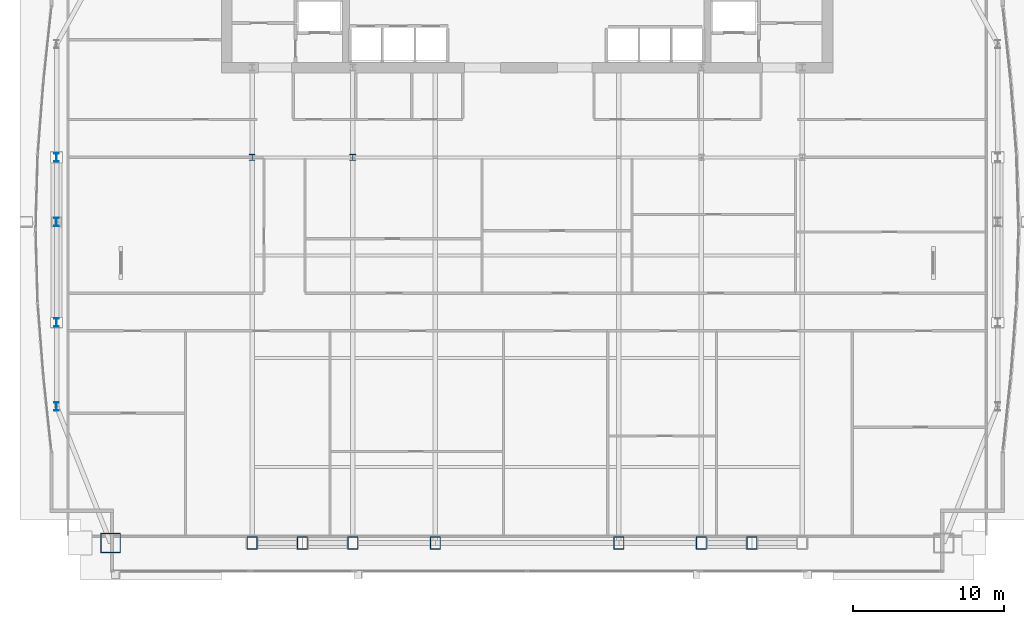
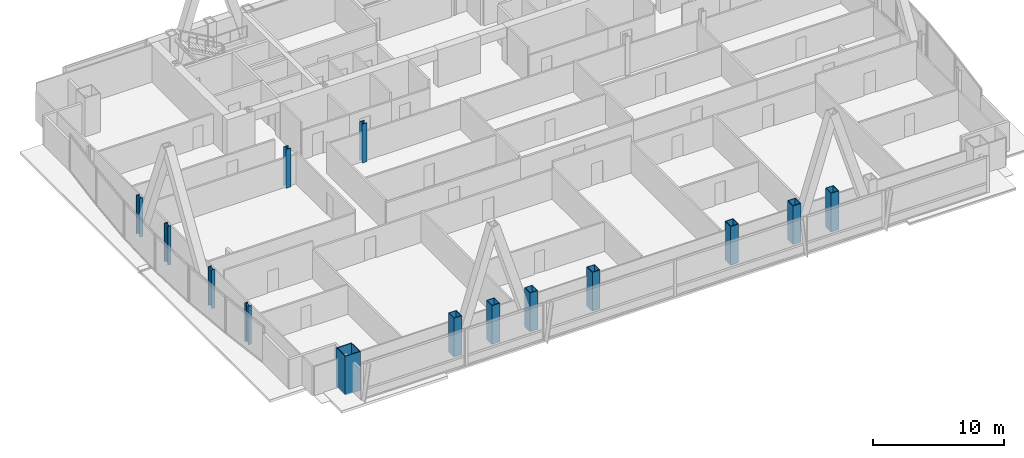
# One storey, part 1 of 30: 14 columns.
"""IFC4 building model written with IfcOpenShell, lengths in metres."""

from ifc_helpers import new_model, si_unit, direction, frame, origin, origin_2d, place, context, subcontext, project, spatial, hollow_rectangle, i_section, extrude, material, material_profile, profile_set, type_object, element, save


model = new_model("IFC4")

# Units and contexts
model_context = context("Model", 3, precision=1e-05, world=origin(), true_north=direction((0.0, 1.0)))
body_context = subcontext(model_context, "Body", "Model", "MODEL_VIEW")
ifc_project = project(units=[si_unit("LENGTHUNIT", "METRE"), si_unit("AREAUNIT", "SQUARE_METRE"), si_unit("VOLUMEUNIT", "CUBIC_METRE"), si_unit("PLANEANGLEUNIT", "RADIAN"), si_unit("MASSUNIT", "GRAM", prefix="KILO")], contexts=[model_context])

# Site, building, storey
site_placement = place(None, origin())
site = spatial("IfcSite", under=ifc_project, at=site_placement, CompositionType="ELEMENT")
building_placement = place(site_placement, origin())
building = spatial("IfcBuilding", under=site, at=building_placement, Name="Khoronbel Lancet Exchange", CompositionType="ELEMENT")
storey_placement = place(building_placement, frame((0.0, 0.0, 136.199951171875)))
storey = spatial("IfcBuildingStorey", under=building, at=storey_placement, Name="L33", CompositionType="ELEMENT", Elevation=136.199951171875)

# Columns
ifc_material_1 = material(Name="Steel S460", Category="steel")
ifc_material_profile_1 = material_profile(ifc_material_1, hollow_rectangle(XDim=0.699951171875, YDim=0.85009765625, WallThickness=0.050048828125, at=origin_2d()), Name="BOX 850x700x50")
ifc_profile_set_1 = profile_set([ifc_material_profile_1], Name="Steel S460")
column_type_1 = type_object("IfcColumnType", Name="COL-EC2", PredefinedType="COLUMN", material=ifc_profile_set_1)
for number, where, z_axis, x_axis, name in (
    (1, (18.22509765625, 10.14990234375, 0.0), (0.0, 0.0, 1.0), (1.0, 0.0, 0.0), "Structural column SC-W1 L33"),
    (2, (21.5625, 10.14990234375, 0.0), (0.0, 0.0, 1.0), (1.0, 0.0, 0.0), "Structural column SC-WM L33"),
    (3, (24.89990234375, 10.14990234375, 0.0), (0.0, 0.0, 1.0), (1.0, 0.0, 0.0), "Structural column SC-W2 L33"),
    (4, (30.375, 10.14990234375, 0.0), (0.0, 0.0, 1.0), (1.0, 0.0, 0.0), "Structural column SC-C1 L33"),
    (5, (42.52490234375, 10.14990234375, 0.0), (0.0, 0.0, 1.0), (1.0, 0.0, 0.0), "Structural column SC-C2 L33"),
    (6, (48.0, 10.14990234375, 0.0), (0.0, 0.0, 1.0), (1.0, 0.0, 0.0), "Structural column SC-E1 L33"),
    (7, (51.33740234375, 10.14990234375, 0.0), (0.0, 0.0, 1.0), (1.0, 0.0, 0.0), "Structural column SC-EM L33"),
):
    element("IfcColumn", number, at=place(storey_placement, frame(where, z_axis=z_axis, x_axis=x_axis)), inside=storey, type_object=column_type_1, Name=name, PredefinedType="COLUMN", context=body_context, shape_type="SweptSolid", body=[
        extrude(hollow_rectangle(XDim=0.699951171875, YDim=0.85009765625, WallThickness=0.050048828125, at=origin_2d()), origin(), (0.0, 0.0, 1.0), 3.60009765625),
    ])
ifc_material_profile_2 = material_profile(ifc_material_1, i_section(OverallWidth=0.416015625, OverallDepth=0.446044921875, WebThickness=0.0390625, FlangeThickness=0.062744140625, at=origin_2d()), Name="HD 400x509")
ifc_profile_set_2 = profile_set([ifc_material_profile_2], Name="Steel S460")
column_type_2 = type_object("IfcColumnType", Name="COL-IC2", PredefinedType="COLUMN", material=ifc_profile_set_2)
for number, where, z_axis, x_axis, name in (
    (8, (18.22509765625, 35.699951171875, 0.0), (0.0, 0.0, 1.0), (1.0, 0.0, 0.0), "Spine gravity column TC1 L33"),
    (9, (24.89990234375, 35.699951171875, 0.0), (0.0, 0.0, 1.0), (1.0, 0.0, 0.0), "Spine gravity column TC2 L33"),
):
    element("IfcColumn", number, at=place(storey_placement, frame(where, z_axis=z_axis, x_axis=x_axis)), inside=storey, type_object=column_type_2, Name=name, PredefinedType="COLUMN", context=body_context, shape_type="SweptSolid", body=[
        extrude(i_section(OverallWidth=0.416015625, OverallDepth=0.446044921875, WebThickness=0.0390625, FlangeThickness=0.062744140625, at=origin_2d()), origin(), (0.0, 0.0, 1.0), 3.60009765625),
    ])
ifc_material_2 = material(Name="Steel S355", Category="steel")
ifc_material_profile_3 = material_profile(ifc_material_2, i_section(OverallWidth=0.300048828125, OverallDepth=0.550048828125, WebThickness=0.014892578125, FlangeThickness=0.029052734375, at=origin_2d()), Name="HEB 550")
ifc_profile_set_3 = profile_set([ifc_material_profile_3], Name="Steel S355")
column_type_3 = type_object("IfcColumnType", Name="COL-LC1", PredefinedType="COLUMN", material=ifc_profile_set_3)
for number, where, z_axis, x_axis, name in (
    (10, (5.27001953125, 19.199951171875, 0.0), (0.0, 0.0, 1.0), (1.0, 0.0, 0.0), "Structural column WC-1 L33"),
    (11, (5.27001953125, 24.75, 0.0), (0.0, 0.0, 1.0), (1.0, 0.0, 0.0), "Structural column WC-2 L33"),
    (12, (5.27001953125, 31.425048828125, 0.0), (0.0, 0.0, 1.0), (1.0, 0.0, 0.0), "Structural column WC-M L33"),
    (13, (5.27001953125, 35.699951171875, 0.0), (0.0, 0.0, 1.0), (1.0, 0.0, 0.0), "Structural column WC-3 L33"),
):
    element("IfcColumn", number, at=place(storey_placement, frame(where, z_axis=z_axis, x_axis=x_axis)), inside=storey, type_object=column_type_3, Name=name, PredefinedType="COLUMN", context=body_context, shape_type="SweptSolid", body=[
        extrude(i_section(OverallWidth=0.300048828125, OverallDepth=0.550048828125, WebThickness=0.014892578125, FlangeThickness=0.029052734375, at=origin_2d()), origin(), (0.0, 0.0, 1.0), 3.60009765625),
    ])
ifc_material_profile_4 = material_profile(ifc_material_1, hollow_rectangle(XDim=1.35009765625, YDim=1.35009765625, WallThickness=0.06494140625, at=origin_2d()), Name="BOX 1350x1350x65")
ifc_profile_set_4 = profile_set([ifc_material_profile_4], Name="Steel S460")
column_type_4 = type_object("IfcColumnType", Name="COL-MC4", PredefinedType="COLUMN", material=ifc_profile_set_4)
column_placement = place(storey_placement, frame((8.85009765625, 10.14990234375, 0.0), z_axis=(0.0, 0.0, 1.0), x_axis=(1.0, 0.0, 0.0)))
element("IfcColumn", 14, at=column_placement, inside=storey, type_object=column_type_4, Name="Structural column MC-SW L33", PredefinedType="COLUMN", context=body_context, shape_type="SweptSolid", body=[
    extrude(hollow_rectangle(XDim=1.35009765625, YDim=1.35009765625, WallThickness=0.06494140625, at=origin_2d()), origin(), (0.0, 0.0, 1.0), 3.60009765625),
])

save(model, "model.ifc")
